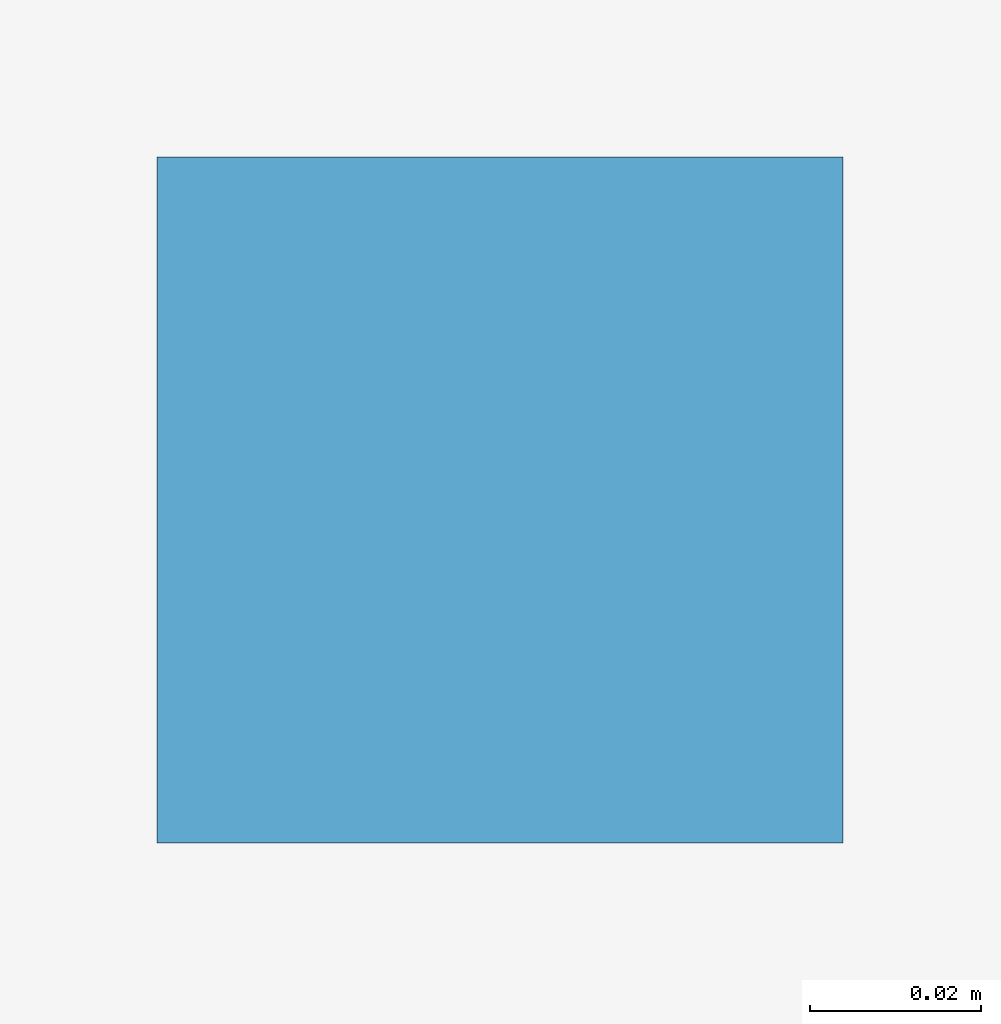
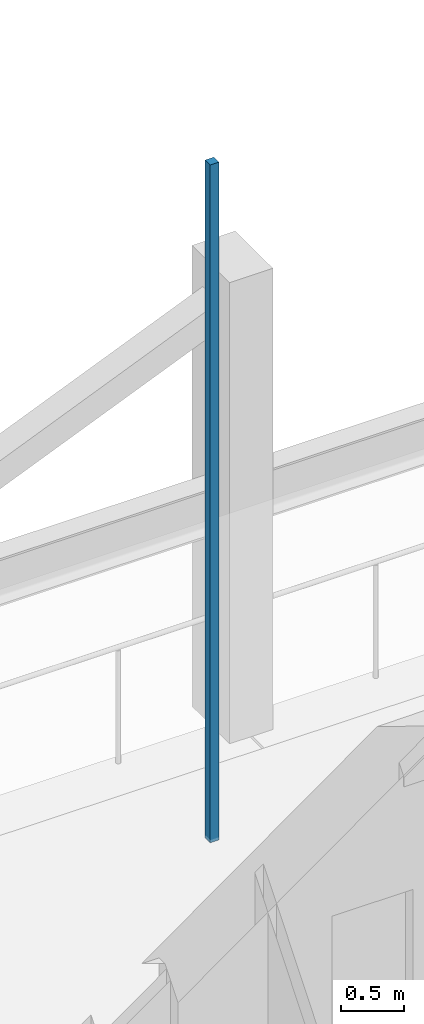
# One storey, part 104 of 114: 1 discrete accessory.
"""IFC4 building model written with IfcOpenShell, lengths in metres."""

from ifc_helpers import new_model, si_unit, direction, frame, origin, origin_2d, place, context, subcontext, project, spatial, rectangle, extrude, material, type_object, element, save


model = new_model("IFC4")

# Units and contexts
model_context = context("Model", 3, precision=1e-05, world=origin(), true_north=direction((0.0, 1.0)))
body_context = subcontext(model_context, "Body", "Model", "MODEL_VIEW")
ifc_project = project(units=[si_unit("LENGTHUNIT", "METRE"), si_unit("AREAUNIT", "SQUARE_METRE"), si_unit("VOLUMEUNIT", "CUBIC_METRE"), si_unit("PLANEANGLEUNIT", "RADIAN"), si_unit("MASSUNIT", "GRAM", prefix="KILO")], contexts=[model_context])

# Site, building, storey
site_placement = place(None, origin())
site = spatial("IfcSite", under=ifc_project, at=site_placement, CompositionType="ELEMENT")
building_placement = place(site_placement, origin())
building = spatial("IfcBuilding", under=site, at=building_placement, Name="Chalmorin Arch Market", CompositionType="ELEMENT")
storey_placement = place(building_placement, frame((0.0, 0.0, 9.60009765625)))
storey = spatial("IfcBuildingStorey", under=building, at=storey_placement, Name="L02", CompositionType="ELEMENT", Elevation=9.60009765625)

# Discrete accessory
ifc_material = material(Name="Galvanized Cold-Formed Steel", Category="steel")
discrete_accessory_type = type_object("IfcDiscreteAccessoryType", Name="CeilingSuspensionBracket-80x80", PredefinedType="BRACKET", material=ifc_material)
discrete_accessory_placement = place(storey_placement, frame((83.699951171875, 10.449951171875, 2.40283203125), z_axis=(0.0, 0.0, 1.0), x_axis=(1.0, 0.0, 0.0)))
element("IfcDiscreteAccessory", 1, at=discrete_accessory_placement, inside=storey, type_object=discrete_accessory_type, Name="CSB-202", PredefinedType="BRACKET", context=body_context, shape_type="SweptSolid", body=[
    extrude(rectangle(XDim=0.080078125, YDim=0.080078125, at=origin_2d()), origin(), (0.0, 0.0, 1.0), 6.614990234375),
])

save(model, "model.ifc")
